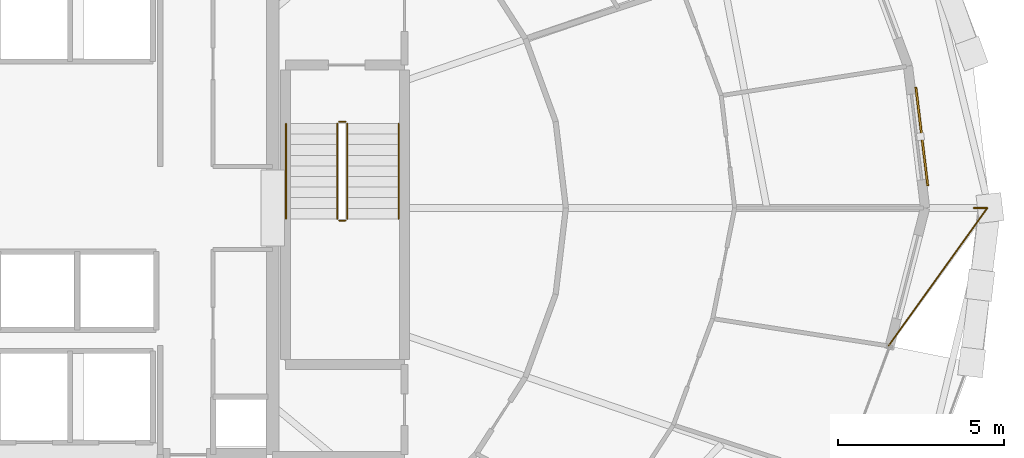
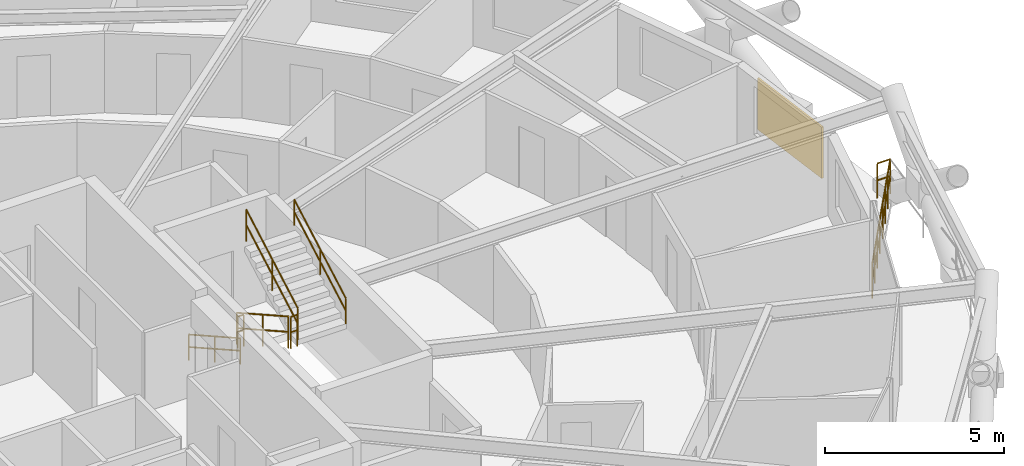
# One storey, part 21 of 21: 7 railings, 1 shading device.
"""IFC4 building model written with IfcOpenShell, lengths in metres."""

from ifc_helpers import new_model, si_unit, direction, frame, origin, origin_2d, place, context, subcontext, project, spatial, rectangle, circle, extrude, material, layer, layer_set, type_object, element, save


model = new_model("IFC4")

# Units and contexts
model_context = context("Model", 3, precision=1e-05, world=origin(), true_north=direction((0.0, 1.0)))
body_context = subcontext(model_context, "Body", "Model", "MODEL_VIEW")
ifc_project = project(units=[si_unit("LENGTHUNIT", "METRE"), si_unit("AREAUNIT", "SQUARE_METRE"), si_unit("VOLUMEUNIT", "CUBIC_METRE"), si_unit("PLANEANGLEUNIT", "RADIAN"), si_unit("MASSUNIT", "GRAM", prefix="KILO")], contexts=[model_context])

# Site, building, storey
site_placement = place(None, origin())
site = spatial("IfcSite", under=ifc_project, at=site_placement, CompositionType="ELEMENT")
building_placement = place(site_placement, origin())
building = spatial("IfcBuilding", under=site, at=building_placement, Name="Veldorina Hangang Commons", CompositionType="ELEMENT")
storey_placement = place(building_placement, frame((0.0, 0.0, 98.800048828125)))
storey = spatial("IfcBuildingStorey", under=building, at=storey_placement, Name="L25", CompositionType="ELEMENT", Elevation=98.800048828125)

# Railings
ifc_material_1 = material(Name="Glass Laminated Safety Balustrade", Category="glass")
railing_type_1 = type_object("IfcRailingType", Name="RL-BAL-LOGGIA", PredefinedType="BALUSTRADE", material=ifc_material_1)
railing_1_placement = place(storey_placement, frame((60.35498046875, 24.0, 0.0)))
element("IfcRailing", 1, at=railing_1_placement, inside=storey, type_object=railing_type_1, Name="L25 sky-garden loggia end balustrade B", PredefinedType="BALUSTRADE", context=body_context, shape_type="SweptSolid", body=[
    extrude(circle(Radius=0.02392578125, at=origin_2d()), frame((0.0, 0.0, 1.17578125), z_axis=(1.0, 0.0, 0.0), x_axis=(0.0, 1.0, 0.0)), (0.0, 0.0, 1.0), 0.419921875),
    extrude(circle(Radius=0.02392578125, at=origin_2d()), frame((0.0, 0.0, 0.60009765625), z_axis=(1.0, 0.0, 0.0), x_axis=(0.0, 1.0, 0.0)), (0.0, 0.0, 1.0), 0.419921875),
    extrude(circle(Radius=0.02392578125, at=origin_2d()), frame((0.419921875, 0.0, 1.17578125), z_axis=(-0.58263908239, -0.812731013111, 0.0), x_axis=(0.812731013111, -0.58263908239, 0.0)), (0.0, 0.0, 1.0), 5.123779296875),
    extrude(circle(Radius=0.02392578125, at=origin_2d()), frame((0.419921875, 0.0, 0.60009765625), z_axis=(-0.58263908239, -0.812731013111, 0.0), x_axis=(0.812731013111, -0.58263908239, 0.0)), (0.0, 0.0, 1.0), 5.123779296875),
    extrude(circle(Radius=0.02099609375, at=origin_2d()), origin(), (0.0, 0.0, 1.0), 1.15185546875),
    extrude(circle(Radius=0.02099609375, at=origin_2d()), frame((0.419921875, 0.0, 0.0)), (0.0, 0.0, 1.0), 1.15185546875),
    extrude(circle(Radius=0.02099609375, at=origin_2d()), frame((-0.006591796875, -0.594970703125, 0.0)), (0.0, 0.0, 1.0), 1.15185546875),
    extrude(circle(Radius=0.02099609375, at=origin_2d()), frame((-0.43310546875, -1.189697265625, 0.0)), (0.0, 0.0, 1.0), 1.15185546875),
    extrude(circle(Radius=0.02099609375, at=origin_2d()), frame((-0.859619140625, -1.78466796875, 0.0)), (0.0, 0.0, 1.0), 1.15185546875),
    extrude(circle(Radius=0.02099609375, at=origin_2d()), frame((-1.285888671875, -2.379638671875, 0.0)), (0.0, 0.0, 1.0), 1.15185546875),
    extrude(circle(Radius=0.02099609375, at=origin_2d()), frame((-1.71240234375, -2.974609375, 0.0)), (0.0, 0.0, 1.0), 1.15185546875),
    extrude(circle(Radius=0.02099609375, at=origin_2d()), frame((-2.138916015625, -3.5693359375, 0.0)), (0.0, 0.0, 1.0), 1.15185546875),
    extrude(circle(Radius=0.02099609375, at=origin_2d()), frame((-2.5654296875, -4.164306640625, 0.0)), (0.0, 0.0, 1.0), 1.15185546875),
])
ifc_material_2 = material(Name="Steel Painted Balustrade", Category="steel")
railing_type_2 = type_object("IfcRailingType", Name="RL-GRD-STAIR", PredefinedType="GUARDRAIL", material=ifc_material_2)
railing_2_placement = place(storey_placement, frame((41.14990234375, 26.550048828125, 0.179931640625)))
element("IfcRailing", 2, at=railing_2_placement, inside=storey, type_object=railing_type_2, Name="L25 ST-2 stair guard 1", PredefinedType="GUARDRAIL", context=body_context, shape_type="SweptSolid", body=[
    extrude(circle(Radius=0.02392578125, at=origin_2d()), frame((0.0, 0.0, 1.076171875), z_axis=(0.0, -0.871569617843, 0.490271762652), x_axis=(1.0, 0.0, 0.0)), (0.0, 0.0, 1.0), 3.304443359375),
    extrude(circle(Radius=0.02392578125, at=origin_2d()), frame((0.0, 0.0, 0.550048828125), z_axis=(0.0, -0.871569617843, 0.490271762652), x_axis=(1.0, 0.0, 0.0)), (0.0, 0.0, 1.0), 3.304443359375),
    extrude(circle(Radius=0.02099609375, at=origin_2d()), origin(), (0.0, 0.0, 1.0), 1.052001953125),
    extrude(circle(Radius=0.02099609375, at=origin_2d()), frame((0.0, -1.43994140625, 0.81005859375)), (0.0, 0.0, 1.0), 1.052001953125),
    extrude(circle(Radius=0.02099609375, at=origin_2d()), frame((0.0, -2.880126953125, 1.6201171875)), (0.0, 0.0, 1.0), 1.052001953125),
])
railing_3_placement = place(storey_placement, frame((41.199951171875, 23.6201171875, 1.800048828125)))
element("IfcRailing", 3, at=railing_3_placement, inside=storey, type_object=railing_type_2, Name="L25 ST-2 stair guard 2", PredefinedType="GUARDRAIL", context=body_context, shape_type="SweptSolid", body=[
    extrude(circle(Radius=0.02392578125, at=origin_2d()), frame((0.0, 0.0, 1.076171875), z_axis=(1.0, 0.0, 0.0), x_axis=(0.0, 1.0, 0.0)), (0.0, 0.0, 1.0), 0.199951171875),
    extrude(circle(Radius=0.02392578125, at=origin_2d()), frame((0.0, 0.0, 0.550048828125), z_axis=(1.0, 0.0, 0.0), x_axis=(0.0, 1.0, 0.0)), (0.0, 0.0, 1.0), 0.199951171875),
    extrude(circle(Radius=0.02099609375, at=origin_2d()), origin(), (0.0, 0.0, 1.0), 1.052001953125),
    extrude(circle(Radius=0.02099609375, at=origin_2d()), frame((0.199951171875, 0.0, 0.0)), (0.0, 0.0, 1.0), 1.052001953125),
])
railing_4_placement = place(storey_placement, frame((41.449951171875, 23.669921875, 1.97998046875)))
element("IfcRailing", 4, at=railing_4_placement, inside=storey, type_object=railing_type_2, Name="L25 ST-2 stair guard 3", PredefinedType="GUARDRAIL", context=body_context, shape_type="SweptSolid", body=[
    extrude(circle(Radius=0.02392578125, at=origin_2d()), frame((0.0, 0.0, 1.076171875), z_axis=(0.0, 0.871601186807, 0.490215637405), x_axis=(-1.0, 0.0, 0.0)), (0.0, 0.0, 1.0), 3.304443359375),
    extrude(circle(Radius=0.02392578125, at=origin_2d()), frame((0.0, 0.0, 0.550048828125), z_axis=(0.0, 0.871601186807, 0.490215637405), x_axis=(-1.0, 0.0, 0.0)), (0.0, 0.0, 1.0), 3.304443359375),
    extrude(circle(Radius=0.02099609375, at=origin_2d()), origin(), (0.0, 0.0, 1.0), 1.052001953125),
    extrude(circle(Radius=0.02099609375, at=origin_2d()), frame((0.0, 1.43994140625, 0.81005859375)), (0.0, 0.0, 1.0), 1.052001953125),
    extrude(circle(Radius=0.02099609375, at=origin_2d()), frame((0.0, 2.880126953125, 1.619873046875)), (0.0, 0.0, 1.0), 1.052001953125),
])
railing_5_placement = place(storey_placement, frame((41.199951171875, 26.60009765625, 0.0)))
element("IfcRailing", 5, at=railing_5_placement, inside=storey, type_object=railing_type_2, Name="L25 ST-2 stair guard 4", PredefinedType="GUARDRAIL", context=body_context, shape_type="SweptSolid", body=[
    extrude(circle(Radius=0.02392578125, at=origin_2d()), frame((0.0, 0.0, 1.076171875), z_axis=(1.0, 0.0, 0.0), x_axis=(0.0, 1.0, 0.0)), (0.0, 0.0, 1.0), 0.199951171875),
    extrude(circle(Radius=0.02392578125, at=origin_2d()), frame((0.0, 0.0, 0.550048828125), z_axis=(1.0, 0.0, 0.0), x_axis=(0.0, 1.0, 0.0)), (0.0, 0.0, 1.0), 0.199951171875),
    extrude(circle(Radius=0.02099609375, at=origin_2d()), origin(), (0.0, 0.0, 1.0), 1.052001953125),
    extrude(circle(Radius=0.02099609375, at=origin_2d()), frame((0.199951171875, 0.0, 0.0)), (0.0, 0.0, 1.0), 1.052001953125),
])
ifc_material_3 = material(Name="Stainless Steel Brushed 316", Category="steel")
railing_type_3 = type_object("IfcRailingType", Name="RL-HND-STAIR", PredefinedType="HANDRAIL", material=ifc_material_3)
railing_6_placement = place(storey_placement, frame((39.60009765625, 26.550048828125, 0.179931640625)))
element("IfcRailing", 6, at=railing_6_placement, inside=storey, type_object=railing_type_3, Name="L25 ST-2 stair handrail 1", PredefinedType="HANDRAIL", context=body_context, shape_type="SweptSolid", body=[
    extrude(circle(Radius=0.02392578125, at=origin_2d()), frame((0.0, 0.0, 0.8759765625), z_axis=(0.0, -0.871569617843, 0.490271762652), x_axis=(1.0, 0.0, 0.0)), (0.0, 0.0, 1.0), 3.304443359375),
    extrude(circle(Radius=0.02392578125, at=origin_2d()), frame((0.0, 0.0, 0.449951171875), z_axis=(0.0, -0.871569617843, 0.490271762652), x_axis=(1.0, 0.0, 0.0)), (0.0, 0.0, 1.0), 3.304443359375),
    extrude(circle(Radius=0.02099609375, at=origin_2d()), origin(), (0.0, 0.0, 1.0), 0.851806640625),
    extrude(circle(Radius=0.02099609375, at=origin_2d()), frame((0.0, -1.43994140625, 0.81005859375)), (0.0, 0.0, 1.0), 0.851806640625),
    extrude(circle(Radius=0.02099609375, at=origin_2d()), frame((0.0, -2.880126953125, 1.6201171875)), (0.0, 0.0, 1.0), 0.851806640625),
])
railing_7_placement = place(storey_placement, frame((43.0, 23.669921875, 1.97998046875)))
element("IfcRailing", 7, at=railing_7_placement, inside=storey, type_object=railing_type_3, Name="L25 ST-2 stair handrail 2", PredefinedType="HANDRAIL", context=body_context, shape_type="SweptSolid", body=[
    extrude(circle(Radius=0.02392578125, at=origin_2d()), frame((0.0, 0.0, 0.8759765625), z_axis=(0.0, 0.871601186807, 0.490215637405), x_axis=(-1.0, 0.0, 0.0)), (0.0, 0.0, 1.0), 3.304443359375),
    extrude(circle(Radius=0.02392578125, at=origin_2d()), frame((0.0, 0.0, 0.449951171875), z_axis=(0.0, 0.871601186807, 0.490215637405), x_axis=(-1.0, 0.0, 0.0)), (0.0, 0.0, 1.0), 3.304443359375),
    extrude(circle(Radius=0.02099609375, at=origin_2d()), origin(), (0.0, 0.0, 1.0), 0.851806640625),
    extrude(circle(Radius=0.02099609375, at=origin_2d()), frame((0.0, 1.43994140625, 0.81005859375)), (0.0, 0.0, 1.0), 0.851806640625),
    extrude(circle(Radius=0.02099609375, at=origin_2d()), frame((0.0, 2.880126953125, 1.619873046875)), (0.0, 0.0, 1.0), 0.851806640625),
])

# Shading device
ifc_material_4 = material(Name="Ceramic Glazed Terracotta", Category="masonry")
ifc_layer = layer(ifc_material_4, 0.06005859375)
ifc_layer_set = layer_set([ifc_layer], Name="Ceramic Glazed Terracotta")
shading_device_type = type_object("IfcShadingDeviceType", Name="SCR-CER-3000", PredefinedType="USERDEFINED", material=ifc_layer_set)
shading_device_placement = place(storey_placement, frame((58.79541015625, 26.1591796875, 0.75), z_axis=(0.0, 0.0, 1.0), x_axis=(-0.119876931456, 0.992788759659, 0.0)))
element("IfcShadingDevice", 8, at=shading_device_placement, inside=storey, type_object=shading_device_type, Name="L25 PERFORATED CERAMIC SOLAR SCREEN 00", ObjectType="SCREEN", PredefinedType="USERDEFINED", context=body_context, shape_type="SweptSolid", body=[
    extrude(rectangle(XDim=3.0, YDim=0.06005859375, at=origin_2d()), origin(), (0.0, 0.0, 1.0), 1.75),
])

save(model, "model.ifc")
